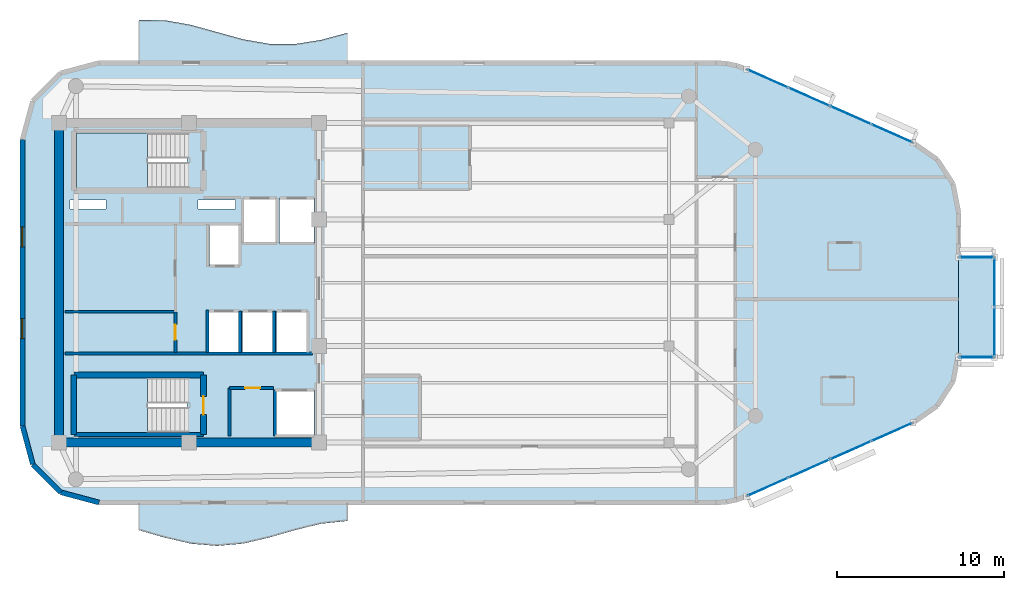
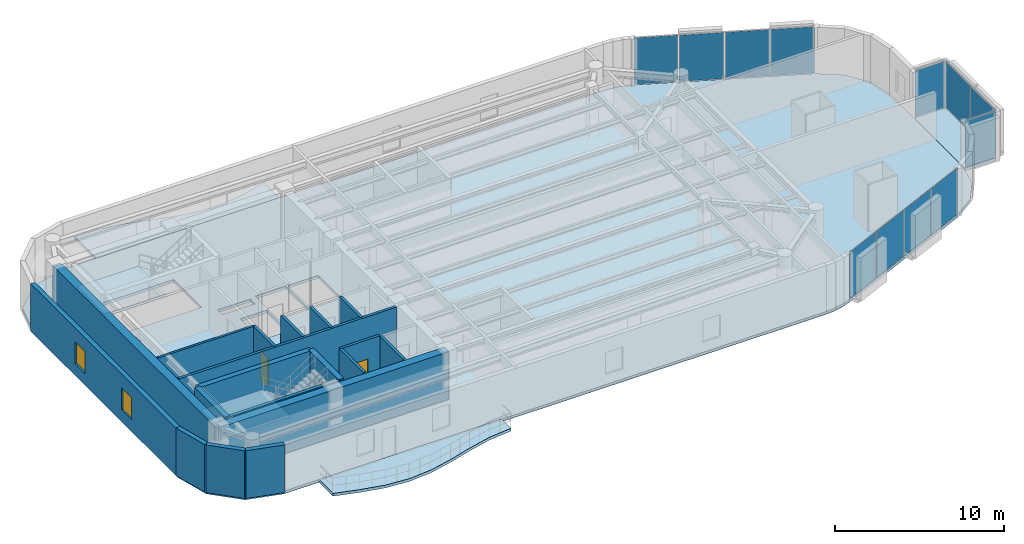
# One storey, part 8 of 13: 19 walls, 12 plates, 6 slabs, 3 doors, 2 windows, 5 openings, 7 elements without a shape of their own.
"""IFC4 building model written with IfcOpenShell, lengths in metres."""

import ifcopenshell
import ifcopenshell.guid

model = None  # the IFC model being written
_history = None  # IfcOwnerHistory: only IFC2X3 demands one
_inside = {}  # id of a spatial element -> (the spatial element, [elements in it])
_under = {}  # id of a project, library or spatial element -> (it, [spatial elements below it])
_declared = {}  # id of a project -> (the project, [libraries it declares])
_typed = {}  # id of a type object -> (the type object, [elements of that type])
_made_of = {}  # id of a material, layer set ... -> (it, [elements and type objects made of it])


def new_model(schema):
    """Start an empty IFC model of exactly this schema.

    Asked for "IFC4X3", IfcOpenShell would pick the latest addendum, in which some entities
    have other attributes; the version numbers below select the first issue.
    IFC2X3 requires an IfcOwnerHistory on every rooted entity: one is made here for all.
    """
    global model, _history
    if schema == "IFC4X3":
        model = ifcopenshell.file(schema_version=(4, 3, 0, 0))
    else:
        model = ifcopenshell.file(schema=schema)
    _inside.clear()
    _under.clear()
    _declared.clear()
    _typed.clear()
    _made_of.clear()
    _history = None
    if model.schema == "IFC2X3":
        org = make("IfcOrganization", Name="unknown")
        user = make(
            "IfcPersonAndOrganization",
            ThePerson=make("IfcPerson", FamilyName="unknown"),
            TheOrganization=org,
        )
        app = make(
            "IfcApplication",
            ApplicationDeveloper=org,
            Version="unknown",
            ApplicationFullName="unknown",
            ApplicationIdentifier="unknown",
        )
        _history = make(
            "IfcOwnerHistory",
            OwningUser=user,
            OwningApplication=app,
            ChangeAction="ADDED",
            CreationDate=0,
        )
    return model


def make(cls, **values):
    """One entity of the class cls with the attributes given. An attribute that is None is left unset."""
    return model.create_entity(
        cls, **{name: value for name, value in values.items() if value is not None}
    )


def rooted(cls, **values):
    """An entity with a GlobalId (a new one), such as an element, a storey or a relation."""
    return make(cls, GlobalId=ifcopenshell.guid.new(), OwnerHistory=_history, **values)


def si_unit(unit_type, name, prefix=None):
    """IfcSIUnit, for example si_unit("LENGTHUNIT", "METRE", prefix="MILLI")."""
    return make("IfcSIUnit", UnitType=unit_type, Prefix=prefix, Name=name)


def assignment(units):
    """IfcUnitAssignment: the units of a project."""
    return None if units is None else make("IfcUnitAssignment", Units=units)


def point(xyz):
    """IfcCartesianPoint."""
    return None if xyz is None else make("IfcCartesianPoint", Coordinates=xyz)


def direction(xyz):
    """IfcDirection."""
    return None if xyz is None else make("IfcDirection", DirectionRatios=xyz)


def frame(location, z_axis=None, x_axis=None):
    """IfcAxis2Placement3D, a coordinate frame: its origin and axes. An axis left out is left unset."""
    return make(
        "IfcAxis2Placement3D",
        Location=point(location),
        Axis=direction(z_axis),
        RefDirection=direction(x_axis),
    )


def frame_2d(location, x_axis=None):
    """IfcAxis2Placement2D, a coordinate frame in the plane: its origin and x axis."""
    return make(
        "IfcAxis2Placement2D", Location=point(location), RefDirection=direction(x_axis)
    )


def origin():
    """The frame at (0, 0, 0) with its axes left unset."""
    return frame((0.0, 0.0, 0.0))


def origin_2d():
    """The frame at (0, 0) in the plane with its x axis left unset."""
    return frame_2d((0.0, 0.0))


def place(relative_to, where):
    """IfcLocalPlacement: puts the frame where relative to a parent placement (None: the world)."""
    return make(
        "IfcLocalPlacement", PlacementRelTo=relative_to, RelativePlacement=where
    )


def context(
    kind, dimensions, precision=None, world=None, true_north=None, identifier=None
):
    """IfcGeometricRepresentationContext, for example the 3D "Model" context."""
    return make(
        "IfcGeometricRepresentationContext",
        ContextIdentifier=identifier,
        ContextType=kind,
        CoordinateSpaceDimension=dimensions,
        Precision=precision,
        WorldCoordinateSystem=world,
        TrueNorth=true_north,
    )


def subcontext(parent, identifier, kind, view, scale=None):
    """IfcGeometricRepresentationSubContext, for example "Body" below "Model"."""
    return make(
        "IfcGeometricRepresentationSubContext",
        ContextIdentifier=identifier,
        ContextType=kind,
        ParentContext=parent,
        TargetScale=scale,
        TargetView=view,
    )


def project(units=None, contexts=None):
    """IfcProject with its units and contexts."""
    return rooted(
        "IfcProject",
        Name="project",
        RepresentationContexts=contexts,
        UnitsInContext=assignment(units),
    )


def spatial(cls, under=None, at=None, **own):
    """A site, building, storey or space (cls), placed at a placement, below another one or the project."""
    s = rooted(cls, ObjectPlacement=at, **own)
    if under is not None:
        _under.setdefault(under.id(), (under, []))[1].append(s)
    return s


def polyline(points):
    """IfcPolyline through the points."""
    return make("IfcPolyline", Points=[point(p) for p in points])


def profile(cls, at=None, kind="AREA", **sizes):
    """A parametric profile (cls). Its sizes go by their IFC names, for example OverallWidth=200.0."""
    return make(cls, ProfileType=kind, Position=at, **sizes)


def rectangle(**sizes):
    """IfcRectangleProfileDef."""
    return profile("IfcRectangleProfileDef", **sizes)


def outline(outer, holes=None, kind="AREA"):
    """IfcArbitraryClosedProfileDef: a profile drawn as a closed curve; with holes, ...WithVoids."""
    if holes is None:
        return make("IfcArbitraryClosedProfileDef", ProfileType=kind, OuterCurve=outer)
    return make(
        "IfcArbitraryProfileDefWithVoids",
        ProfileType=kind,
        OuterCurve=outer,
        InnerCurves=holes,
    )


def extrude(swept, where, along, depth):
    """IfcExtrudedAreaSolid: the profile swept, set in the frame where, extruded along a direction by depth."""
    return make(
        "IfcExtrudedAreaSolid",
        SweptArea=swept,
        Position=where,
        ExtrudedDirection=direction(along),
        Depth=depth,
    )


def shape(context_of_items, identifier, shape_type, items):
    """IfcShapeRepresentation: the items that make up one representation, for example the "Body"."""
    return make(
        "IfcShapeRepresentation",
        ContextOfItems=context_of_items,
        RepresentationIdentifier=identifier,
        RepresentationType=shape_type,
        Items=items,
    )


def material(Name=None, Category=None):
    """IfcMaterial."""
    return make("IfcMaterial", Name=Name, Category=Category)


def layer(
    of_material, thickness, ventilated=None, Name=None, Category=None, Priority=None
):
    """IfcMaterialLayer: one layer of a wall or slab, of a material (None: an air gap)."""
    return make(
        "IfcMaterialLayer",
        Material=of_material,
        LayerThickness=thickness,
        IsVentilated=ventilated,
        Name=Name,
        Category=Category,
        Priority=Priority,
    )


def layer_set(layers, Name=None):
    """IfcMaterialLayerSet."""
    return make("IfcMaterialLayerSet", MaterialLayers=layers, LayerSetName=Name)


def made_of(thing, what):
    """Note that an element or type object is made of a material, layer set ...; save() writes the relation."""
    if what is not None:
        _made_of.setdefault(what.id(), (what, []))[1].append(thing)
    return thing


def type_object(cls, material=None, **own):
    """A type object (cls), such as IfcWallType, which elements share."""
    return made_of(rooted(cls, **own), material)


def element(
    cls,
    number,
    at=None,
    inside=None,
    cuts=None,
    type_object=None,
    material=None,
    context=None,
    identifier="Body",
    shape_type=None,
    held_by="IfcProductDefinitionShape",
    body=None,
    shapes=None,
    **own,
):
    """One element of the class cls, such as IfcWall. Its Tag is "e" and its number.

    at: its placement. inside: the storey or other place that contains it. cuts: it is an
    opening in that element (IfcRelVoidsElement). A single representation is given by context,
    identifier, shape_type and body (its items); several are given by shapes. held_by: the class
    of the entity that holds the representations. save() writes the other relations.
    """
    e = rooted(cls, Tag="e%d" % number, ObjectPlacement=at, **own)
    if body is not None:
        shapes = [shape(context, identifier, shape_type, body)]
    if shapes is not None:
        e.Representation = make(held_by, Representations=shapes)
    if inside is not None:
        _inside.setdefault(inside.id(), (inside, []))[1].append(e)
    if cuts is not None:
        rooted(
            "IfcRelVoidsElement", RelatingBuildingElement=cuts, RelatedOpeningElement=e
        )
    if type_object is not None:
        _typed.setdefault(type_object.id(), (type_object, []))[1].append(e)
    return made_of(e, material)


def fill(opening, filler):
    """IfcRelFillsElement: the door or window that sits in an opening."""
    return rooted(
        "IfcRelFillsElement",
        RelatingOpeningElement=opening,
        RelatedBuildingElement=filler,
    )


def aggregate(whole, parts):
    """IfcRelAggregates: a whole, such as a stair, and the parts it consists of."""
    return rooted("IfcRelAggregates", RelatingObject=whole, RelatedObjects=parts)


def save(model, path):
    """Write the relations noted so far, then the file.

    IfcRelAggregates (storeys below a building ...), IfcRelContainedInSpatialStructure (elements
    in a storey), IfcRelDefinesByType, IfcRelAssociatesMaterial and IfcRelDeclares: one each for
    every whole, place, type object, material and project.
    """
    for whole, parts in _under.values():
        aggregate(whole, parts)
    for where, things in _inside.values():
        rooted(
            "IfcRelContainedInSpatialStructure",
            RelatedElements=things,
            RelatingStructure=where,
        )
    for kind, things in _typed.values():
        rooted("IfcRelDefinesByType", RelatedObjects=things, RelatingType=kind)
    for what, things in _made_of.values():
        rooted("IfcRelAssociatesMaterial", RelatedObjects=things, RelatingMaterial=what)
    for by, libraries in _declared.values():
        rooted("IfcRelDeclares", RelatingContext=by, RelatedDefinitions=libraries)
    model.write(path)


model = new_model("IFC4")

# Units and contexts
model_context = context("Model", 3, precision=1e-05, world=origin(), true_north=direction((0.0, 1.0)))
body_context = subcontext(model_context, "Body", "Model", "MODEL_VIEW")
ifc_project = project(units=[si_unit("LENGTHUNIT", "METRE"), si_unit("AREAUNIT", "SQUARE_METRE"), si_unit("VOLUMEUNIT", "CUBIC_METRE"), si_unit("PLANEANGLEUNIT", "RADIAN"), si_unit("MASSUNIT", "GRAM", prefix="KILO")], contexts=[model_context])

# Site, building, storey
site_placement = place(None, origin())
site = spatial("IfcSite", under=ifc_project, at=site_placement, CompositionType="ELEMENT")
building_placement = place(site_placement, origin())
building = spatial("IfcBuilding", under=site, at=building_placement, Name="An Khanh Terracotta Commons", CompositionType="ELEMENT")
storey_placement = place(building_placement, frame((0.0, 0.0, 266.10009765625)))
storey = spatial("IfcBuildingStorey", under=building, at=storey_placement, Name="L69", CompositionType="ELEMENT", Elevation=266.10009765625)

# Curtain wall, plates
ifc_material_1 = material(Name="Anodised Aluminium 6063-T6", Category="aluminium")
ifc_layer_1 = layer(ifc_material_1, 0.2099609375, Name="Anodised Aluminium 6063-T6")
ifc_layer_set_1 = layer_set([ifc_layer_1], Name="Anodised Aluminium 6063-T6")
curtain_wall_type_1 = type_object("IfcCurtainWallType", Name="CW-SYS-03", PredefinedType="USERDEFINED", material=ifc_layer_set_1)
curtain_wall_1_placement = place(storey_placement, origin())
curtain_wall_1 = element("IfcCurtainWall", 1, at=curtain_wall_1_placement, inside=storey, type_object=curtain_wall_type_1, Name="L69 CW-03 Unitised Curtain Wall CW-L69-08", ObjectType="UNITISED CURTAIN WALL", PredefinedType="USERDEFINED")
ifc_material_2 = material(Name="Acoustic Laminated Low-E Glazing", Category="glass")
ifc_layer_2 = layer(ifc_material_2, 0.035888671875, Name="Acoustic Laminated Low-E Glazing")
ifc_layer_set_2 = layer_set([ifc_layer_2], Name="Acoustic Laminated Low-E Glazing")
plate_type_1 = type_object("IfcPlateType", Name="CWP-IGU-36", PredefinedType="CURTAIN_PANEL", material=ifc_layer_set_2)
plate_1_placement = place(storey_placement, frame((64.149169921875, 11.748046875, 0.0498046875), z_axis=(0.0, 0.0, 1.0), x_axis=(0.914901853201, 0.403676354285, 0.0)))
plate_1 = element("IfcPlate", 2, at=plate_1_placement, type_object=plate_type_1, Name="CW-03 panel 1.1", PredefinedType="CURTAIN_PANEL", context=body_context, shape_type="SweptSolid", body=[
    extrude(rectangle(XDim=2.619384765625, YDim=0.035888671875, at=origin_2d()), origin(), (0.0, 0.0, 1.0), 3.35009765625),
])
plate_2_placement = place(storey_placement, frame((66.625732421875, 12.840576171875, 0.0498046875), z_axis=(0.0, 0.0, 1.0), x_axis=(0.914901853201, 0.403676354285, 0.0)))
plate_2 = element("IfcPlate", 3, at=plate_2_placement, type_object=plate_type_1, Name="CW-03 panel 2.1", PredefinedType="CURTAIN_PANEL", context=body_context, shape_type="SweptSolid", body=[
    extrude(rectangle(XDim=2.654296875, YDim=0.035888671875, at=origin_2d()), origin(), (0.0, 0.0, 1.0), 3.35009765625),
])
plate_3_placement = place(storey_placement, frame((69.1181640625, 13.9404296875, 0.0498046875), z_axis=(0.0, 0.0, 1.0), x_axis=(0.914901853201, 0.403676354285, 0.0)))
plate_3 = element("IfcPlate", 4, at=plate_3_placement, type_object=plate_type_1, Name="CW-03 panel 3.1", PredefinedType="CURTAIN_PANEL", context=body_context, shape_type="SweptSolid", body=[
    extrude(rectangle(XDim=2.654296875, YDim=0.035888671875, at=origin_2d()), origin(), (0.0, 0.0, 1.0), 3.35009765625),
])
plate_4_placement = place(storey_placement, frame((71.5947265625, 15.032958984375, 0.0498046875), z_axis=(0.0, 0.0, 1.0), x_axis=(0.914901853201, 0.403676354285, 0.0)))
plate_4 = element("IfcPlate", 5, at=plate_4_placement, type_object=plate_type_1, Name="CW-03 panel 4.1", PredefinedType="CURTAIN_PANEL", context=body_context, shape_type="SweptSolid", body=[
    extrude(rectangle(XDim=2.619384765625, YDim=0.035888671875, at=origin_2d()), origin(), (0.0, 0.0, 1.0), 3.35009765625),
])
aggregate(curtain_wall_1, [plate_1, plate_2, plate_3, plate_4])

curtain_wall_2_placement = place(storey_placement, origin())
curtain_wall_2 = element("IfcCurtainWall", 6, at=curtain_wall_2_placement, inside=storey, type_object=curtain_wall_type_1, Name="L69 CW-03 Unitised Curtain Wall CW-L69-16", ObjectType="UNITISED CURTAIN WALL", PredefinedType="USERDEFINED")
plate_5_placement = place(storey_placement, frame((71.5947265625, 32.967041015625, 0.0498046875), z_axis=(0.0, 0.0, 1.0), x_axis=(-0.914901853201, 0.403676354285, 0.0)))
plate_5 = element("IfcPlate", 7, at=plate_5_placement, type_object=plate_type_1, Name="CW-03 panel 1.1", PredefinedType="CURTAIN_PANEL", context=body_context, shape_type="SweptSolid", body=[
    extrude(rectangle(XDim=2.619384765625, YDim=0.035888671875, at=origin_2d()), origin(), (0.0, 0.0, 1.0), 3.35009765625),
])
plate_6_placement = place(storey_placement, frame((69.1181640625, 34.0595703125, 0.0498046875), z_axis=(0.0, 0.0, 1.0), x_axis=(-0.914901853201, 0.403676354285, 0.0)))
plate_6 = element("IfcPlate", 8, at=plate_6_placement, type_object=plate_type_1, Name="CW-03 panel 2.1", PredefinedType="CURTAIN_PANEL", context=body_context, shape_type="SweptSolid", body=[
    extrude(rectangle(XDim=2.654296875, YDim=0.035888671875, at=origin_2d()), origin(), (0.0, 0.0, 1.0), 3.35009765625),
])
plate_7_placement = place(storey_placement, frame((66.625732421875, 35.159423828125, 0.0498046875), z_axis=(0.0, 0.0, 1.0), x_axis=(-0.914901853201, 0.403676354285, 0.0)))
plate_7 = element("IfcPlate", 9, at=plate_7_placement, type_object=plate_type_1, Name="CW-03 panel 3.1", PredefinedType="CURTAIN_PANEL", context=body_context, shape_type="SweptSolid", body=[
    extrude(rectangle(XDim=2.654296875, YDim=0.035888671875, at=origin_2d()), origin(), (0.0, 0.0, 1.0), 3.35009765625),
])
plate_8_placement = place(storey_placement, frame((64.149169921875, 36.251953125, 0.0498046875), z_axis=(0.0, 0.0, 1.0), x_axis=(-0.914901853201, 0.403676354285, 0.0)))
plate_8 = element("IfcPlate", 10, at=plate_8_placement, type_object=plate_type_1, Name="CW-03 panel 4.1", PredefinedType="CURTAIN_PANEL", context=body_context, shape_type="SweptSolid", body=[
    extrude(rectangle(XDim=2.619384765625, YDim=0.035888671875, at=origin_2d()), origin(), (0.0, 0.0, 1.0), 3.35009765625),
])
aggregate(curtain_wall_2, [plate_5, plate_6, plate_7, plate_8])

ifc_layer_3 = layer(ifc_material_1, 0.239990234375, Name="Anodised Aluminium 6063-T6")
ifc_layer_set_3 = layer_set([ifc_layer_3], Name="Anodised Aluminium 6063-T6")
curtain_wall_type_2 = type_object("IfcCurtainWallType", Name="CW-SYS-04", PredefinedType="USERDEFINED", material=ifc_layer_set_3)
curtain_wall_3_placement = place(storey_placement, origin())
curtain_wall_3 = element("IfcCurtainWall", 11, at=curtain_wall_3_placement, inside=storey, type_object=curtain_wall_type_2, Name="L69 CW-04 Unitised Curtain Wall CW-L69-EBOX-1", ObjectType="UNITISED CURTAIN WALL", PredefinedType="USERDEFINED")
ifc_material_3 = material(Name="Triple-Silver Sky-Lobby Glazing", Category="glass")
ifc_layer_4 = layer(ifc_material_3, 0.0400390625, Name="Triple-Silver Sky-Lobby Glazing")
ifc_layer_set_4 = layer_set([ifc_layer_4], Name="Triple-Silver Sky-Lobby Glazing")
plate_type_2 = type_object("IfcPlateType", Name="CWP-IGU-40", PredefinedType="CURTAIN_PANEL", material=ifc_layer_set_4)
plate_9_placement = place(storey_placement, frame((77.75, 21.046142578125, 0.059814453125), z_axis=(0.0, 0.0, 1.0), x_axis=(0.0, 1.0, 0.0)))
plate_9 = element("IfcPlate", 12, at=plate_9_placement, type_object=plate_type_2, Name="CW-04 panel 1.1", PredefinedType="CURTAIN_PANEL", context=body_context, shape_type="SweptSolid", body=[
    extrude(rectangle(XDim=2.902587890625, YDim=0.0400390625, at=origin_2d()), origin(), (0.0, 0.0, 1.0), 3.330078125),
])
plate_10_placement = place(storey_placement, frame((77.75, 24.013671875, 0.059814453125), z_axis=(0.0, 0.0, 1.0), x_axis=(0.0, 1.0, 0.0)))
plate_10 = element("IfcPlate", 13, at=plate_10_placement, type_object=plate_type_2, Name="CW-04 panel 2.1", PredefinedType="CURTAIN_PANEL", context=body_context, shape_type="SweptSolid", body=[
    extrude(rectangle(XDim=2.902587890625, YDim=0.0400390625, at=origin_2d()), origin(), (0.0, 0.0, 1.0), 3.330078125),
])
aggregate(curtain_wall_3, [plate_9, plate_10])

# Curtain wall, plate
curtain_wall_4_placement = place(storey_placement, origin())
curtain_wall_4 = element("IfcCurtainWall", 14, at=curtain_wall_4_placement, inside=storey, type_object=curtain_wall_type_2, Name="L69 CW-04 Unitised Curtain Wall CW-L69-EBOX-2", ObjectType="UNITISED CURTAIN WALL", PredefinedType="USERDEFINED")
plate_11_placement = place(storey_placement, frame((76.675048828125, 19.530029296875, 0.059814453125), z_axis=(0.0, 0.0, 1.0), x_axis=(1.0, 0.0, 0.0)))
plate_11 = element("IfcPlate", 15, at=plate_11_placement, type_object=plate_type_2, Name="CW-04 panel 1.1", PredefinedType="CURTAIN_PANEL", context=body_context, shape_type="SweptSolid", body=[
    extrude(rectangle(XDim=2.02001953125, YDim=0.0400390625, at=origin_2d()), origin(), (0.0, 0.0, 1.0), 3.330078125),
])
aggregate(curtain_wall_4, [plate_11])

curtain_wall_5_placement = place(storey_placement, origin())
curtain_wall_5 = element("IfcCurtainWall", 16, at=curtain_wall_5_placement, inside=storey, type_object=curtain_wall_type_2, Name="L69 CW-04 Unitised Curtain Wall CW-L69-EBOX-3", ObjectType="UNITISED CURTAIN WALL", PredefinedType="USERDEFINED")
plate_12_placement = place(storey_placement, frame((76.675048828125, 25.530029296875, 0.059814453125), z_axis=(0.0, 0.0, 1.0), x_axis=(-1.0, 0.0, 0.0)))
plate_12 = element("IfcPlate", 17, at=plate_12_placement, type_object=plate_type_2, Name="CW-04 panel 1.1", PredefinedType="CURTAIN_PANEL", context=body_context, shape_type="SweptSolid", body=[
    extrude(rectangle(XDim=2.02001953125, YDim=0.0400390625, at=origin_2d()), origin(), (0.0, 0.0, 1.0), 3.330078125),
])
aggregate(curtain_wall_5, [plate_12])

# Slabs
ifc_material_4 = material(Name="Concrete C40/50", Category="concrete")
ifc_layer_5 = layer(ifc_material_4, 0.199951171875, Name="Concrete C40/50")
ifc_layer_set_5 = layer_set([ifc_layer_5], Name="Concrete C40/50")
slab_type_1 = type_object("IfcSlabType", Name="SLAB-BALC-200", PredefinedType="FLOOR", material=ifc_layer_set_5)
slab_1_placement = place(storey_placement, frame((0.0, 0.0, -0.2001953125)))
element("IfcSlab", 18, at=slab_1_placement, inside=storey, type_object=slab_type_1, Name="L69 S Sinusoidal Wave Balcony Slab", PredefinedType="FLOOR", context=body_context, shape_type="SweptSolid", body=[
    extrude(outline(polyline([(26.39990234375, 10.800048828125), (26.39990234375, 9.14404296875), (27.9619140625, 8.69189453125), (29.52490234375, 8.3330078125), (31.0869140625, 8.199951171875), (32.64990234375, 8.340087890625), (34.2119140625, 8.702880859375), (35.77490234375, 9.156005859375), (37.3369140625, 9.533935546875), (38.89990234375, 9.697998046875), (38.89990234375, 10.800048828125), (26.39990234375, 10.800048828125)])), origin(), (0.0, 0.0, 1.0), 0.2001953125),
])
slab_2_placement = place(storey_placement, frame((0.0, 0.0, -0.2001953125)))
element("IfcSlab", 19, at=slab_2_placement, inside=storey, type_object=slab_type_1, Name="L69 N Sinusoidal Wave Balcony Slab", PredefinedType="FLOOR", context=body_context, shape_type="SweptSolid", body=[
    extrude(outline(polyline([(38.89990234375, 37.199951171875), (38.89990234375, 39.0009765625), (37.3369140625, 38.5791015625), (35.77490234375, 38.3291015625), (34.2119140625, 38.342041015625), (32.64990234375, 38.613037109375), (31.0869140625, 39.0439453125), (29.52490234375, 39.47705078125), (27.9619140625, 39.75390625), (26.39990234375, 39.77392578125), (26.39990234375, 37.199951171875), (38.89990234375, 37.199951171875)])), origin(), (0.0, 0.0, 1.0), 0.2001953125),
])

# Stair, slab
ifc_material_5 = material(Name="Precast concrete C40/50", Category="concrete")
stair_type = type_object("IfcStairType", Name="STAIR-CORE-1550", PredefinedType="HALF_TURN_STAIR", material=ifc_material_5)
stair_1_placement = place(storey_placement, origin())
stair_1 = element("IfcStair", 20, at=stair_1_placement, inside=storey, type_object=stair_type, Name="L69 Core Smokeproof Exit Stair ST-01", PredefinedType="HALF_TURN_STAIR")
ifc_layer_6 = layer(ifc_material_4, 0.18994140625, Name="Concrete C40/50")
ifc_layer_set_6 = layer_set([ifc_layer_6], Name="Concrete C40/50")
slab_type_2 = type_object("IfcSlabType", Name="SLAB-LANDING-190", PredefinedType="LANDING", material=ifc_layer_set_6)
slab_3_placement = place(storey_placement, frame((0.0, 0.0, 1.625)))
slab_3 = element("IfcSlab", 21, at=slab_3_placement, type_object=slab_type_2, Name="ST-01 landing 1", PredefinedType="LANDING", context=body_context, shape_type="SweptSolid", body=[
    extrude(outline(polyline([(26.889892578125, 33.0), (22.64990234375, 33.0), (22.64990234375, 29.699951171875), (26.889892578125, 29.699951171875), (26.889892578125, 33.0)])), origin(), (0.0, 0.0, 1.0), 0.199951171875),
])
aggregate(stair_1, [slab_3])

stair_2_placement = place(storey_placement, origin())
stair_2 = element("IfcStair", 22, at=stair_2_placement, inside=storey, type_object=stair_type, Name="L69 Core Smokeproof Exit Stair ST-02", PredefinedType="HALF_TURN_STAIR")
slab_4_placement = place(storey_placement, frame((0.0, 0.0, 1.625)))
slab_4 = element("IfcSlab", 23, at=slab_4_placement, type_object=slab_type_2, Name="ST-02 landing 1", PredefinedType="LANDING", context=body_context, shape_type="SweptSolid", body=[
    extrude(outline(polyline([(26.889892578125, 18.300048828125), (22.64990234375, 18.300048828125), (22.64990234375, 15.0), (26.889892578125, 15.0), (26.889892578125, 18.300048828125)])), origin(), (0.0, 0.0, 1.0), 0.199951171875),
])
aggregate(stair_2, [slab_4])

# Slabs
ifc_layer_7 = layer(ifc_material_4, 0.199951171875, Name="Concrete C40/50")
ifc_layer_set_7 = layer_set([ifc_layer_7], Name="Concrete C40/50")
slab_type_3 = type_object("IfcSlabType", Name="SLAB-TYP-200", PredefinedType="FLOOR", material=ifc_layer_set_7)
slab_5_placement = place(storey_placement, frame((0.0, 0.0, -0.2001953125)))
element("IfcSlab", 24, at=slab_5_placement, inside=storey, type_object=slab_type_3, Name="L69 Structural Floor Slab", PredefinedType="FLOOR", context=body_context, shape_type="SweptSolid", body=[
    extrude(outline(polyline([(19.39990234375, 15.39990234375), (20.01611328125, 13.10009765625), (21.699951171875, 11.416015625), (24.0, 10.800048828125), (61.030029296875, 10.800048828125), (61.6650390625, 10.843994140625), (62.2880859375, 10.97509765625), (62.886962890625, 11.19091796875), (72.85693359375, 15.590087890625), (74.302001953125, 16.594970703125), (75.262939453125, 18.070068359375), (75.60009765625, 19.798095703125), (75.60009765625, 28.201904296875), (75.262939453125, 29.929931640625), (74.302001953125, 31.405029296875), (72.85693359375, 32.409912109375), (62.886962890625, 36.80908203125), (62.2880859375, 37.02490234375), (61.6650390625, 37.156005859375), (61.030029296875, 37.199951171875), (24.0, 37.199951171875), (21.699951171875, 36.583984375), (20.01611328125, 34.89990234375), (19.39990234375, 32.60009765625), (19.39990234375, 15.39990234375)]), holes=[polyline([(22.64990234375, 29.699951171875), (29.27001953125, 29.699951171875), (29.27001953125, 33.0), (22.64990234375, 33.0), (22.64990234375, 29.699951171875)]), polyline([(22.64990234375, 15.0), (29.27001953125, 15.0), (29.27001953125, 18.300048828125), (22.64990234375, 18.300048828125), (22.64990234375, 15.0)]), polyline([(32.60009765625, 26.35009765625), (34.679931640625, 26.35009765625), (34.679931640625, 29.080078125), (32.60009765625, 29.080078125), (32.60009765625, 26.35009765625)]), polyline([(34.820068359375, 26.35009765625), (36.89990234375, 26.35009765625), (36.89990234375, 29.080078125), (34.820068359375, 29.080078125), (34.820068359375, 26.35009765625)]), polyline([(34.550048828125, 14.800048828125), (36.89990234375, 14.800048828125), (36.89990234375, 17.550048828125), (34.550048828125, 17.550048828125), (34.550048828125, 14.800048828125)]), polyline([(30.639892578125, 25.0), (32.4599609375, 25.0), (32.4599609375, 27.5), (30.639892578125, 27.5), (30.639892578125, 25.0)]), polyline([(30.56005859375, 19.800048828125), (32.4599609375, 19.800048828125), (32.4599609375, 22.300048828125), (30.56005859375, 22.300048828125), (30.56005859375, 19.800048828125)]), polyline([(32.60009765625, 19.800048828125), (34.5, 19.800048828125), (34.5, 22.300048828125), (32.60009765625, 22.300048828125), (32.60009765625, 19.800048828125)]), polyline([(34.639892578125, 19.800048828125), (36.5400390625, 19.800048828125), (36.5400390625, 22.300048828125), (34.639892578125, 22.300048828125), (34.639892578125, 19.800048828125)]), polyline([(22.25, 28.419921875), (24.39990234375, 28.419921875), (24.39990234375, 28.97998046875), (22.25, 28.97998046875), (22.25, 28.419921875)]), polyline([(29.949951171875, 28.419921875), (32.199951171875, 28.419921875), (32.199951171875, 28.97998046875), (29.949951171875, 28.97998046875), (29.949951171875, 28.419921875)])]), origin(), (0.0, 0.0, 1.0), 0.2001953125),
])
slab_6_placement = place(storey_placement, frame((0.0, 0.0, -0.2001953125)))
element("IfcSlab", 25, at=slab_6_placement, inside=storey, type_object=slab_type_3, Name="L69 Shifted Social Kitchen Box Floor Slab", PredefinedType="FLOOR", context=body_context, shape_type="SweptSolid", body=[
    extrude(outline(polyline([(75.60009765625, 19.530029296875), (77.75, 19.530029296875), (77.75, 25.530029296875), (75.60009765625, 25.530029296875), (75.60009765625, 19.530029296875)])), origin(), (0.0, 0.0, 1.0), 0.2001953125),
])

# Walls
ifc_material_6 = material(Name="Concrete C50/60", Category="concrete")
ifc_layer_8 = layer(ifc_material_6, 0.550048828125, Name="Concrete C50/60")
ifc_layer_set_8 = layer_set([ifc_layer_8], Name="Concrete C50/60")
wall_type_1 = type_object("IfcWallType", Name="WALL-CORE-550", PredefinedType="SHEAR", material=ifc_layer_set_8)
wall_1_placement = place(storey_placement, frame((21.60009765625, 14.39990234375, 0.0), z_axis=(0.0, 0.0, 1.0), x_axis=(0.0, 1.0, 0.0)))
element("IfcWall", 26, at=wall_1_placement, inside=storey, type_object=wall_type_1, Name="L69 Core Wall CWALL-L69-W", PredefinedType="SHEAR", context=body_context, shape_type="SweptSolid", body=[
    extrude(rectangle(XDim=19.2001953125, YDim=0.550048828125, at=frame_2d((9.60009765625, 0.0))), origin(), (0.0, 0.0, 1.0), 3.449951171875),
])
wall_2_placement = place(storey_placement, frame((37.199951171875, 14.39990234375, 0.0), z_axis=(0.0, 0.0, 1.0), x_axis=(-1.0, 0.0, 0.0)))
element("IfcWall", 27, at=wall_2_placement, inside=storey, type_object=wall_type_1, Name="L69 Core Wall CWALL-L69-S", PredefinedType="SHEAR", context=body_context, shape_type="SweptSolid", body=[
    extrude(rectangle(XDim=15.599853515625, YDim=0.550048828125, at=frame_2d((7.7998046875, 0.0))), origin(), (0.0, 0.0, 1.0), 3.449951171875),
])
ifc_material_7 = material(Name="Fire-Rated Gypsum Board on Steel Stud", Category="steel")
ifc_layer_9 = layer(ifc_material_7, 0.179931640625, Name="Fire-Rated Gypsum Board on Steel Stud")
ifc_layer_set_9 = layer_set([ifc_layer_9], Name="Fire-Rated Gypsum Board on Steel Stud")
wall_type_2 = type_object("IfcWallType", Name="WALL-CORR-180", PredefinedType="PARTITIONING", material=ifc_layer_set_9)
wall_3_placement = place(storey_placement, frame((21.949951171875, 19.760009765625, 0.0), z_axis=(0.0, 0.0, 1.0), x_axis=(1.0, 0.0, 0.0)))
element("IfcWall", 28, at=wall_3_placement, inside=storey, type_object=wall_type_2, Name="L69 Core Wall SVW-L69-N", PredefinedType="PARTITIONING", context=body_context, shape_type="SweptSolid", body=[
    extrude(rectangle(XDim=14.8701171875, YDim=0.179931640625, at=frame_2d((7.43505859375, 0.0))), origin(), (0.0, 0.0, 1.0), 3.449951171875),
])

# Wall, opening, door
wall_4_placement = place(storey_placement, frame((31.820068359375, 17.679931640625, 0.0), z_axis=(0.0, 0.0, 1.0), x_axis=(1.0, 0.0, 0.0)))
wall_4 = element("IfcWall", 29, at=wall_4_placement, inside=storey, type_object=wall_type_2, Name="L69 Core Wall SSVCW-L69-N", PredefinedType="PARTITIONING", context=body_context, shape_type="SweptSolid", body=[
    extrude(rectangle(XDim=2.659912109375, YDim=0.179931640625, at=frame_2d((1.330078125, 0.0))), origin(), (0.0, 0.0, 1.0), 3.449951171875),
])
opening_1_placement = place(wall_4_placement, frame((0.949951171875, 0.0, 0.0)))
opening_1 = element("IfcOpeningElement", 30, at=opening_1_placement, cuts=wall_4, Name="Opening D-SV", PredefinedType="OPENING", context=body_context, shape_type="SweptSolid", body=[
    extrude(rectangle(XDim=0.89990234375, YDim=2.050048828125, at=frame_2d((0.449951171875, 1.02490234375))), frame((0.0, 0.099853515625, 0.0), z_axis=(0.0, -1.0, 0.0), x_axis=(1.0, 0.0, 0.0)), (0.0, 0.0, 1.0), 0.199951171875),
])
ifc_material_8 = material(Name="Fire-Rated Powder-Coated Steel Door", Category="steel")
door_type_1 = type_object("IfcDoorType", Name="DOOR-SERV-900", OperationType="NOTDEFINED", PredefinedType="DOOR", material=ifc_material_8)
door_1_placement = place(opening_1_placement, origin())
door_1 = element("IfcDoor", 31, at=door_1_placement, inside=storey, type_object=door_type_1, Name="L69 Core Housekeeping Store Door", OperationType="SINGLE_SWING_RIGHT", OverallHeight=2.050048828125, OverallWidth=0.89990234375, PredefinedType="DOOR", context=body_context, shape_type="SweptSolid", body=[
    extrude(rectangle(XDim=0.89990234375, YDim=2.050048828125, at=frame_2d((0.449951171875, 1.02490234375))), frame((0.0, 0.02490234375, 0.0), z_axis=(0.0, -1.0, 0.0), x_axis=(1.0, 0.0, 0.0)), (0.0, 0.0, 1.0), 0.050048828125),
])
fill(opening_1, door_1)

# Walls
wall_5_placement = place(storey_placement, frame((31.820068359375, 14.800048828125, 0.0), z_axis=(0.0, 0.0, 1.0), x_axis=(0.0, 1.0, 0.0)))
element("IfcWall", 32, at=wall_5_placement, inside=storey, type_object=wall_type_2, Name="L69 Core Wall SSVCW-L69-W", PredefinedType="PARTITIONING", context=body_context, shape_type="SweptSolid", body=[
    extrude(rectangle(XDim=2.8798828125, YDim=0.179931640625, at=frame_2d((1.43994140625, 0.0))), origin(), (0.0, 0.0, 1.0), 3.449951171875),
])
wall_6_placement = place(storey_placement, frame((34.550048828125, 17.550048828125, 0.0), z_axis=(0.0, 0.0, 1.0), x_axis=(0.0, -1.0, 0.0)))
element("IfcWall", 33, at=wall_6_placement, inside=storey, type_object=wall_type_2, Name="L69 Core Wall LSH-L69-SVL-01-W", PredefinedType="PARTITIONING", context=body_context, shape_type="SweptSolid", body=[
    extrude(rectangle(XDim=2.75, YDim=0.179931640625, at=frame_2d((1.375, 0.0))), origin(), (0.0, 0.0, 1.0), 3.449951171875),
])
for number, where, z_axis, x_axis, name in (
    (34, (32.4599609375, 19.800048828125, 0.0), (0.0, 0.0, 1.0), (0.0, 1.0, 0.0), "L69 Core Wall LSH-L69-PL-H2-E"),
    (35, (34.5, 19.800048828125, 0.0), (0.0, 0.0, 1.0), (0.0, 1.0, 0.0), "L69 Core Wall LSH-L69-PL-H3-E"),
):
    element("IfcWall", number, at=place(storey_placement, frame(where, z_axis=z_axis, x_axis=x_axis)), inside=storey, type_object=wall_type_2, Name=name, PredefinedType="PARTITIONING", context=body_context, shape_type="SweptSolid", body=[
        extrude(rectangle(XDim=2.5, YDim=0.179931640625, at=frame_2d((1.25, 0.0))), origin(), (0.0, 0.0, 1.0), 3.449951171875),
    ])
wall_7_placement = place(storey_placement, frame((30.52001953125, 19.800048828125, 0.0), z_axis=(0.0, 0.0, 1.0), x_axis=(0.0, 1.0, 0.0)))
element("IfcWall", 36, at=wall_7_placement, inside=storey, type_object=wall_type_2, Name="L69 Core Wall RECW-L69-BE2", PredefinedType="PARTITIONING", context=body_context, shape_type="SweptSolid", body=[
    extrude(rectangle(XDim=2.550048828125, YDim=0.179931640625, at=frame_2d((1.27490234375, 0.0))), origin(), (0.0, 0.0, 1.0), 3.449951171875),
])

# Wall, opening, door
wall_8_placement = place(storey_placement, frame((28.580078125, 19.800048828125, 0.0), z_axis=(0.0, 0.0, 1.0), x_axis=(0.0, 1.0, 0.0)))
wall_8 = element("IfcWall", 37, at=wall_8_placement, inside=storey, type_object=wall_type_2, Name="L69 Core Wall RECW-L69-E2", PredefinedType="PARTITIONING", context=body_context, shape_type="SweptSolid", body=[
    extrude(rectangle(XDim=2.449951171875, YDim=0.179931640625, at=frame_2d((1.22509765625, 0.0))), origin(), (0.0, 0.0, 1.0), 3.449951171875),
])
opening_2_placement = place(wall_8_placement, frame((0.764892578125, 0.0, 0.0)))
opening_2 = element("IfcOpeningElement", 38, at=opening_2_placement, cuts=wall_8, Name="Opening D-RM", PredefinedType="OPENING", context=body_context, shape_type="SweptSolid", body=[
    extrude(rectangle(XDim=0.919921875, YDim=2.10009765625, at=frame_2d((0.4599609375, 1.050048828125))), frame((0.0, 0.099853515625, 0.0), z_axis=(0.0, -1.0, 0.0), x_axis=(1.0, 0.0, 0.0)), (0.0, 0.0, 1.0), 0.199951171875),
])
ifc_material_9 = material(Name="Engineered Hardwood Timber Leaf", Category="wood")
door_type_2 = type_object("IfcDoorType", Name="DOOR-INT-920", OperationType="NOTDEFINED", PredefinedType="DOOR", material=ifc_material_9)
door_2_placement = place(opening_2_placement, origin())
door_2 = element("IfcDoor", 39, at=door_2_placement, inside=storey, type_object=door_type_2, Name="L69 Floor Pantry and Ice Room Door", OperationType="SINGLE_SWING_RIGHT", OverallHeight=2.10009765625, OverallWidth=0.919921875, PredefinedType="DOOR", context=body_context, shape_type="SweptSolid", body=[
    extrude(rectangle(XDim=0.919921875, YDim=2.10009765625, at=frame_2d((0.4599609375, 1.050048828125))), frame((0.0, 0.02490234375, 0.0), z_axis=(0.0, -1.0, 0.0), x_axis=(1.0, 0.0, 0.0)), (0.0, 0.0, 1.0), 0.050048828125),
])
fill(opening_2, door_2)

# Walls
ifc_layer_10 = layer(ifc_material_5, 0.300048828125, Name="Precast concrete C40/50")
ifc_layer_set_10 = layer_set([ifc_layer_10], Name="Precast concrete C40/50")
wall_type_3 = type_object("IfcWallType", Name="WALL-EXT-300", PredefinedType="SOLIDWALL", material=ifc_layer_set_10)
wall_9_placement = place(storey_placement, frame((19.39990234375, 15.39990234375, 0.0), z_axis=(0.0, 0.0, 1.0), x_axis=(0.258811258154, -0.965927912762, 0.0)))
element("IfcWall", 40, at=wall_9_placement, inside=storey, type_object=wall_type_3, Name="L69 Insulated Terracotta Exterior Wall 1", PredefinedType="SOLIDWALL", context=body_context, shape_type="SweptSolid", body=[
    extrude(rectangle(XDim=2.380859375, YDim=0.300048828125, at=frame_2d((1.1904296875, 0.0))), origin(), (0.0, 0.0, 1.0), 3.449951171875),
])
wall_10_placement = place(storey_placement, frame((20.01611328125, 13.10009765625, 0.0), z_axis=(0.0, 0.0, 1.0), x_axis=(0.707055521135, -0.707158037522, 0.0)))
element("IfcWall", 41, at=wall_10_placement, inside=storey, type_object=wall_type_3, Name="L69 Insulated Terracotta Exterior Wall 2", PredefinedType="SOLIDWALL", context=body_context, shape_type="SweptSolid", body=[
    extrude(rectangle(XDim=2.381591796875, YDim=0.300048828125, at=frame_2d((1.19091796875, 0.0))), origin(), (0.0, 0.0, 1.0), 3.449951171875),
])
wall_11_placement = place(storey_placement, frame((21.699951171875, 11.416015625, 0.0), z_axis=(0.0, 0.0, 1.0), x_axis=(0.965960405575, -0.25868995895, 0.0)))
element("IfcWall", 42, at=wall_11_placement, inside=storey, type_object=wall_type_3, Name="L69 Insulated Terracotta Exterior Wall 3", PredefinedType="SOLIDWALL", context=body_context, shape_type="SweptSolid", body=[
    extrude(rectangle(XDim=2.381103515625, YDim=0.300048828125, at=frame_2d((1.1904296875, 0.0))), origin(), (0.0, 0.0, 1.0), 3.449951171875),
])

# Wall, openings, windows
wall_12_placement = place(storey_placement, frame((19.39990234375, 32.60009765625, 0.0), z_axis=(0.0, 0.0, 1.0), x_axis=(0.0, -1.0, 0.0)))
wall_12 = element("IfcWall", 43, at=wall_12_placement, inside=storey, type_object=wall_type_3, Name="L69 Insulated Terracotta Exterior Wall 24", PredefinedType="SOLIDWALL", context=body_context, shape_type="SweptSolid", body=[
    extrude(rectangle(XDim=17.2001953125, YDim=0.300048828125, at=frame_2d((8.60009765625, 0.0))), origin(), (0.0, 0.0, 1.0), 3.449951171875),
])
opening_3_placement = place(wall_12_placement, frame((5.25, 0.0, 0.85009765625)))
opening_3 = element("IfcOpeningElement", 44, at=opening_3_placement, cuts=wall_12, Name="Opening W-05", PredefinedType="OPENING", context=body_context, shape_type="SweptSolid", body=[
    extrude(rectangle(XDim=1.199951171875, YDim=1.60009765625, at=frame_2d((0.60009765625, 0.800048828125))), frame((0.0, 0.159912109375, 0.0), z_axis=(0.0, -1.0, 0.0), x_axis=(1.0, 0.0, 0.0)), (0.0, 0.0, 1.0), 0.320068359375),
])
opening_4_placement = place(wall_12_placement, frame((10.75, 0.0, 0.85009765625)))
opening_4 = element("IfcOpeningElement", 45, at=opening_4_placement, cuts=wall_12, Name="Opening W-05", PredefinedType="OPENING", context=body_context, shape_type="SweptSolid", body=[
    extrude(rectangle(XDim=1.199951171875, YDim=1.60009765625, at=frame_2d((0.60009765625, 0.800048828125))), frame((0.0, 0.159912109375, 0.0), z_axis=(0.0, -1.0, 0.0), x_axis=(1.0, 0.0, 0.0)), (0.0, 0.0, 1.0), 0.320068359375),
])
ifc_material_10 = material(Name="Thermally Broken Aluminium and Low-E Glass", Category="aluminium")
window_type = type_object("IfcWindowType", Name="WIN-Z5-1200x1600", PartitioningType="SINGLE_PANEL", PredefinedType="WINDOW", material=ifc_material_10)
window_1_placement = place(opening_3_placement, origin())
window_1 = element("IfcWindow", 46, at=window_1_placement, inside=storey, type_object=window_type, Name="L69 Operable Casement Window 24.1", OverallHeight=1.60009765625, OverallWidth=1.199951171875, PartitioningType="SINGLE_PANEL", PredefinedType="WINDOW", context=body_context, shape_type="SweptSolid", body=[
    extrude(rectangle(XDim=1.199951171875, YDim=1.60009765625, at=frame_2d((0.60009765625, 0.800048828125))), frame((0.0, 0.030029296875, 0.0), z_axis=(0.0, -1.0, 0.0), x_axis=(1.0, 0.0, 0.0)), (0.0, 0.0, 1.0), 0.06005859375),
])
fill(opening_3, window_1)
window_2_placement = place(opening_4_placement, origin())
window_2 = element("IfcWindow", 47, at=window_2_placement, inside=storey, type_object=window_type, Name="L69 Operable Casement Window 24.2", OverallHeight=1.60009765625, OverallWidth=1.199951171875, PartitioningType="SINGLE_PANEL", PredefinedType="WINDOW", context=body_context, shape_type="SweptSolid", body=[
    extrude(rectangle(XDim=1.199951171875, YDim=1.60009765625, at=frame_2d((0.60009765625, 0.800048828125))), frame((0.0, 0.030029296875, 0.0), z_axis=(0.0, -1.0, 0.0), x_axis=(1.0, 0.0, 0.0)), (0.0, 0.0, 1.0), 0.06005859375),
])
fill(opening_4, window_2)

# Walls
ifc_material_11 = material(Name="Acoustic Gypsum Board Partition")
ifc_layer_11 = layer(ifc_material_11, 0.14990234375, Name="Acoustic Gypsum Board Partition")
ifc_layer_set_11 = layer_set([ifc_layer_11], Name="Acoustic Gypsum Board Partition")
wall_type_4 = type_object("IfcWallType", Name="WALL-PART-150", PredefinedType="PARTITIONING", material=ifc_layer_set_11)
wall_13_placement = place(storey_placement, frame((21.949951171875, 22.25, 0.0), z_axis=(0.0, 0.0, 1.0), x_axis=(1.0, 0.0, 0.0)))
element("IfcWall", 48, at=wall_13_placement, inside=storey, type_object=wall_type_4, Name="L69 Core Wall RECW-L69-M", PredefinedType="PARTITIONING", context=body_context, shape_type="SweptSolid", body=[
    extrude(rectangle(XDim=6.630126953125, YDim=0.14990234375, at=frame_2d((3.31494140625, 0.0))), origin(), (0.0, 0.0, 1.0), 3.449951171875),
])
ifc_material_12 = material(Name="Acoustic Double-Stud Gypsum and Mineral Wool")
ifc_layer_12 = layer(ifc_material_12, 0.219970703125, Name="Acoustic Double-Stud Gypsum and Mineral Wool")
ifc_layer_set_12 = layer_set([ifc_layer_12], Name="Acoustic Double-Stud Gypsum and Mineral Wool")
wall_type_5 = type_object("IfcWallType", Name="WALL-PARTY-220", PredefinedType="PARTITIONING", material=ifc_layer_set_12)
wall_14_placement = place(storey_placement, frame((22.47998046875, 14.889892578125, 0.0), z_axis=(0.0, 0.0, 1.0), x_axis=(1.0, 0.0, 0.0)))
element("IfcWall", 49, at=wall_14_placement, inside=storey, type_object=wall_type_5, Name="L69 Core Wall STW-L69-S-S", PredefinedType="PARTITIONING", context=body_context, shape_type="SweptSolid", body=[
    extrude(rectangle(XDim=7.7900390625, YDim=0.219970703125, at=frame_2d((3.89501953125, 0.0))), origin(), (0.0, 0.0, 1.0), 3.449951171875),
])
ifc_layer_13 = layer(ifc_material_6, 0.35009765625, Name="Concrete C50/60")
ifc_layer_set_13 = layer_set([ifc_layer_13], Name="Concrete C50/60")
wall_type_6 = type_object("IfcWallType", Name="WALL-SHAFT-350", PredefinedType="SOLIDWALL", material=ifc_layer_set_13)
wall_15_placement = place(storey_placement, frame((22.47998046875, 18.469970703125, 0.0), z_axis=(0.0, 0.0, 1.0), x_axis=(1.0, 0.0, 0.0)))
element("IfcWall", 50, at=wall_15_placement, inside=storey, type_object=wall_type_6, Name="L69 Core Wall STW-L69-S-N", PredefinedType="SOLIDWALL", context=body_context, shape_type="SweptSolid", body=[
    extrude(rectangle(XDim=7.7900390625, YDim=0.35009765625, at=frame_2d((3.89501953125, 0.0))), origin(), (0.0, 0.0, 1.0), 3.449951171875),
])
wall_16_placement = place(storey_placement, frame((22.47998046875, 14.889892578125, 0.0), z_axis=(0.0, 0.0, 1.0), x_axis=(0.0, 1.0, 0.0)))
element("IfcWall", 51, at=wall_16_placement, inside=storey, type_object=wall_type_6, Name="L69 Core Wall STW-L69-S-W", PredefinedType="SOLIDWALL", context=body_context, shape_type="SweptSolid", body=[
    extrude(rectangle(XDim=3.580078125, YDim=0.35009765625, at=frame_2d((1.7900390625, 0.0))), origin(), (0.0, 0.0, 1.0), 3.449951171875),
])

# Wall, opening, door
wall_17_placement = place(storey_placement, frame((30.27001953125, 14.889892578125, 0.0), z_axis=(0.0, 0.0, 1.0), x_axis=(0.0, 1.0, 0.0)))
wall_17 = element("IfcWall", 52, at=wall_17_placement, inside=storey, type_object=wall_type_6, Name="L69 Core Wall STW-L69-S-E", PredefinedType="SOLIDWALL", context=body_context, shape_type="SweptSolid", body=[
    extrude(rectangle(XDim=3.580078125, YDim=0.35009765625, at=frame_2d((1.7900390625, 0.0))), origin(), (0.0, 0.0, 1.0), 3.449951171875),
])
opening_5_placement = place(wall_17_placement, frame((1.18994140625, 0.0, 0.0)))
opening_5 = element("IfcOpeningElement", 53, at=opening_5_placement, cuts=wall_17, Name="Opening D-ST", PredefinedType="OPENING", context=body_context, shape_type="SweptSolid", body=[
    extrude(rectangle(XDim=1.10009765625, YDim=2.14990234375, at=frame_2d((0.550048828125, 1.074951171875))), frame((0.0, 0.18505859375, 0.0), z_axis=(0.0, -1.0, 0.0), x_axis=(1.0, 0.0, 0.0)), (0.0, 0.0, 1.0), 0.3701171875),
])
ifc_material_13 = material(Name="Fire-Rated Steel Leaf and Frame", Category="steel")
door_type_3 = type_object("IfcDoorType", Name="DOOR-STAIR-1100", OperationType="NOTDEFINED", PredefinedType="DOOR", material=ifc_material_13)
door_3_placement = place(opening_5_placement, origin())
door_3 = element("IfcDoor", 54, at=door_3_placement, inside=storey, type_object=door_type_3, Name="L69 Stair ST-02 Fire Door", OperationType="SINGLE_SWING_LEFT", OverallHeight=2.14990234375, OverallWidth=1.10009765625, PredefinedType="DOOR", context=body_context, shape_type="SweptSolid", body=[
    extrude(rectangle(XDim=1.10009765625, YDim=2.14990234375, at=frame_2d((0.550048828125, 1.074951171875))), frame((0.0, 0.02490234375, 0.0), z_axis=(0.0, -1.0, 0.0), x_axis=(1.0, 0.0, 0.0)), (0.0, 0.0, 1.0), 0.050048828125),
])
fill(opening_5, door_3)

save(model, "model.ifc")
